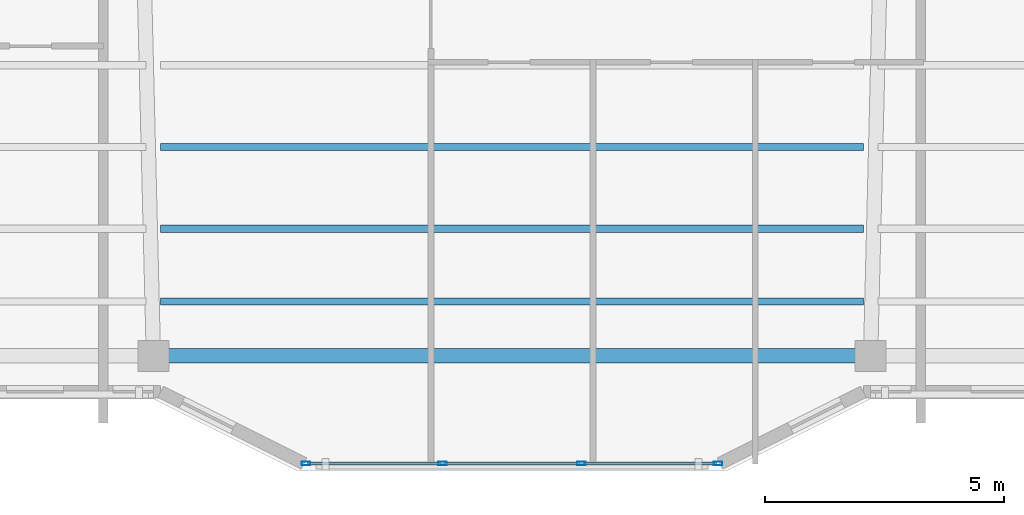
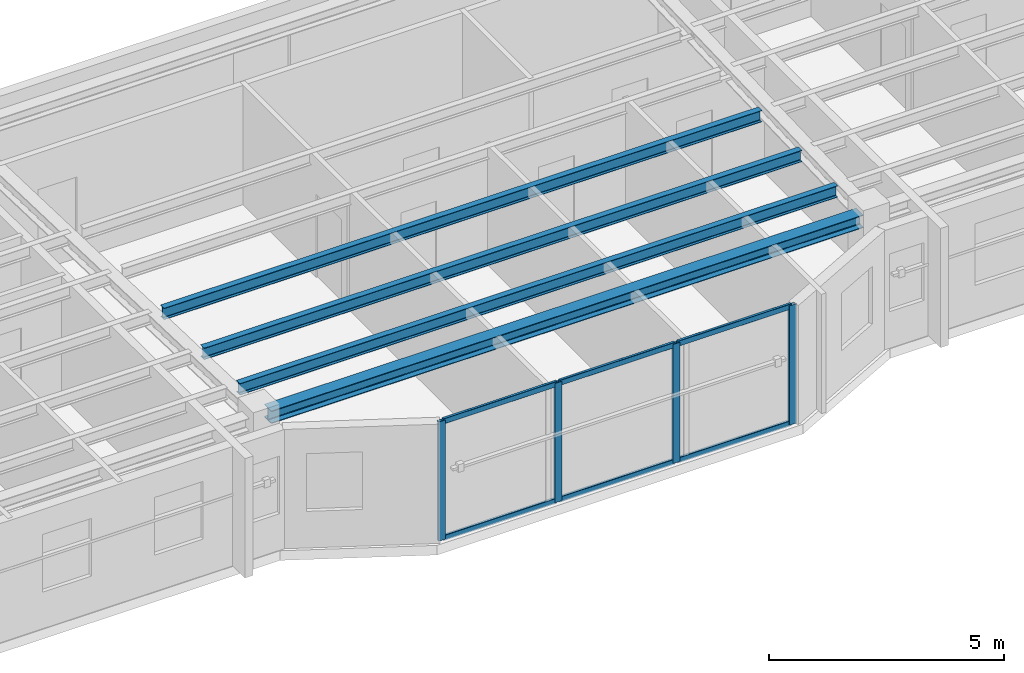
# One storey, part 2 of 15: 10 members, 4 beams, 1 element without a shape of its own.
"""IFC4 building model written with IfcOpenShell, lengths in metres."""

from ifc_helpers import new_model, si_unit, direction, frame, origin, origin_2d, place, context, subcontext, project, spatial, hollow_rectangle, i_section, extrude, material, layer, layer_set, material_profile, profile_set, type_object, element, aggregate, save


model = new_model("IFC4")

# Units and contexts
model_context = context("Model", 3, precision=1e-05, world=origin(), true_north=direction((0.0, 1.0)))
body_context = subcontext(model_context, "Body", "Model", "MODEL_VIEW")
ifc_project = project(units=[si_unit("LENGTHUNIT", "METRE"), si_unit("AREAUNIT", "SQUARE_METRE"), si_unit("VOLUMEUNIT", "CUBIC_METRE"), si_unit("PLANEANGLEUNIT", "RADIAN"), si_unit("MASSUNIT", "GRAM", prefix="KILO")], contexts=[model_context])

# Site, building, storey
site_placement = place(None, origin())
site = spatial("IfcSite", under=ifc_project, at=site_placement, CompositionType="ELEMENT")
building_placement = place(site_placement, origin())
building = spatial("IfcBuilding", under=site, at=building_placement, Name="Tarnavaz Court Tower", CompositionType="ELEMENT")
storey_placement = place(building_placement, frame((0.0, 0.0, 244.85009765625)))
storey = spatial("IfcBuildingStorey", under=building, at=storey_placement, Name="L66", CompositionType="ELEMENT", Elevation=244.85009765625)

# Beams
ifc_material_1 = material(Name="Steel S355", Category="steel")
ifc_material_profile_1 = material_profile(ifc_material_1, i_section(OverallWidth=0.14990234375, OverallDepth=0.300048828125, WebThickness=0.007080078125, FlangeThickness=0.0107421875, FilletRadius=0.014892578125, at=origin_2d()), Name="IPE 300")
ifc_profile_set_1 = profile_set([ifc_material_profile_1], Name="Steel S355")
beam_type_1 = type_object("IfcBeamType", Name="BM-J-IPE300", PredefinedType="JOIST", material=ifc_profile_set_1)
for number, where, z_axis, x_axis, name in (
    (1, (-7.35009765625, -15.72998046875, 2.949951171875), (1.0, 0.0, 0.0), (0.0, 1.0, 0.0), "L66 Beam JS3-2"),
    (2, (-7.35009765625, -17.43994140625, 2.949951171875), (1.0, 0.0, 0.0), (0.0, 1.0, 0.0), "L66 Beam JS4-2"),
    (3, (-7.35009765625, -18.9599609375, 2.949951171875), (1.0, 0.0, 0.0), (0.0, 1.0, 0.0), "L66 Beam JS5-2"),
):
    element("IfcBeam", number, at=place(storey_placement, frame(where, z_axis=z_axis, x_axis=x_axis)), inside=storey, type_object=beam_type_1, Name=name, PredefinedType="JOIST", context=body_context, shape_type="SweptSolid", body=[
        extrude(i_section(OverallWidth=0.14990234375, OverallDepth=0.300048828125, WebThickness=0.007080078125, FlangeThickness=0.0107421875, FilletRadius=0.014892578125, at=origin_2d()), origin(), (0.0, 0.0, 1.0), 14.7001953125),
    ])
ifc_material_profile_2 = material_profile(ifc_material_1, i_section(OverallWidth=0.300048828125, OverallDepth=0.330078125, WebThickness=0.009521484375, FlangeThickness=0.0166015625, FilletRadius=0.027099609375, at=origin_2d()), Name="HEA 340")
ifc_profile_set_2 = profile_set([ifc_material_profile_2], Name="Steel S355")
beam_type_2 = type_object("IfcBeamType", Name="BM-SP-HEA340", PredefinedType="BEAM", material=ifc_profile_set_2)
beam_placement = place(storey_placement, frame((-7.280029296875, -20.10009765625, 2.934814453125), z_axis=(1.0, 0.0, 0.0), x_axis=(0.0, 1.0, 0.0)))
element("IfcBeam", 4, at=beam_placement, inside=storey, type_object=beam_type_2, Name="L66 Beam PR-PS-2-PS-3", PredefinedType="BEAM", context=body_context, shape_type="SweptSolid", body=[
    extrude(i_section(OverallWidth=0.300048828125, OverallDepth=0.330078125, WebThickness=0.009521484375, FlangeThickness=0.0166015625, FilletRadius=0.027099609375, at=origin_2d()), origin(), (0.0, 0.0, 1.0), 14.56005859375),
])

# Curtain wall, members
ifc_material_2 = material(Name="Anodised Aluminium 6063-T6 and Solar Low-E Glazing", Category="aluminium")
ifc_layer = layer(ifc_material_2, 0.159912109375)
ifc_layer_set = layer_set([ifc_layer], Name="Anodised Aluminium 6063-T6 and Solar Low-E Glazing")
curtain_wall_type = type_object("IfcCurtainWallType", Name="CW-SYS-03", PredefinedType="NOTDEFINED", material=ifc_layer_set)
curtain_wall_placement = place(storey_placement, origin())
curtain_wall = element("IfcCurtainWall", 5, at=curtain_wall_placement, inside=storey, type_object=curtain_wall_type, Name="L66 Iwan Prow Curtain Wall 17", PredefinedType="NOTDEFINED")
ifc_material_3 = material(Name="Anodised Aluminium 6063-T6", Category="aluminium")
ifc_material_profile_3 = material_profile(ifc_material_3, hollow_rectangle(XDim=0.074951171875, YDim=0.179931640625, WallThickness=0.0048828125, InnerFilletRadius=0.0048828125, OuterFilletRadius=0.010009765625, at=origin_2d()), Name="ALU RHS 180X75X5")
ifc_profile_set_3 = profile_set([ifc_material_profile_3], Name="Anodised Aluminium 6063-T6")
member_type_1 = type_object("IfcMemberType", Name="CW-MUL-180", PredefinedType="MULLION", material=ifc_profile_set_3)
member_1_placement = place(storey_placement, frame((4.3125, -22.35009765625, 0.0), z_axis=(0.0, 0.0, 1.0), x_axis=(0.0, -1.0, 0.0)))
member_1 = element("IfcMember", 6, at=member_1_placement, type_object=member_type_1, Name="CW mullion 1", PredefinedType="MULLION", context=body_context, shape_type="SweptSolid", body=[
    extrude(hollow_rectangle(XDim=0.074951171875, YDim=0.179931640625, WallThickness=0.0048828125, InnerFilletRadius=0.0048828125, OuterFilletRadius=0.010009765625, at=origin_2d()), origin(), (0.0, 0.0, 1.0), 3.099853515625),
])
member_2_placement = place(storey_placement, frame((1.449951171875, -22.35009765625, 0.0), z_axis=(0.0, 0.0, 1.0), x_axis=(0.0, -1.0, 0.0)))
member_2 = element("IfcMember", 7, at=member_2_placement, type_object=member_type_1, Name="CW mullion 2", PredefinedType="MULLION", context=body_context, shape_type="SweptSolid", body=[
    extrude(hollow_rectangle(XDim=0.074951171875, YDim=0.179931640625, WallThickness=0.0048828125, InnerFilletRadius=0.0048828125, OuterFilletRadius=0.010009765625, at=origin_2d()), origin(), (0.0, 0.0, 1.0), 3.099853515625),
])
member_3_placement = place(storey_placement, frame((-1.449951171875, -22.35009765625, 0.0), z_axis=(0.0, 0.0, 1.0), x_axis=(0.0, -1.0, 0.0)))
member_3 = element("IfcMember", 8, at=member_3_placement, type_object=member_type_1, Name="CW mullion 3", PredefinedType="MULLION", context=body_context, shape_type="SweptSolid", body=[
    extrude(hollow_rectangle(XDim=0.074951171875, YDim=0.179931640625, WallThickness=0.0048828125, InnerFilletRadius=0.0048828125, OuterFilletRadius=0.010009765625, at=origin_2d()), origin(), (0.0, 0.0, 1.0), 3.099853515625),
])
member_4_placement = place(storey_placement, frame((-4.3125, -22.35009765625, 0.0), z_axis=(0.0, 0.0, 1.0), x_axis=(0.0, -1.0, 0.0)))
member_4 = element("IfcMember", 9, at=member_4_placement, type_object=member_type_1, Name="CW mullion 4", PredefinedType="MULLION", context=body_context, shape_type="SweptSolid", body=[
    extrude(hollow_rectangle(XDim=0.074951171875, YDim=0.179931640625, WallThickness=0.0048828125, InnerFilletRadius=0.0048828125, OuterFilletRadius=0.010009765625, at=origin_2d()), origin(), (0.0, 0.0, 1.0), 3.099853515625),
])
ifc_material_profile_4 = material_profile(ifc_material_3, hollow_rectangle(XDim=0.06494140625, YDim=0.139892578125, WallThickness=0.00390625, InnerFilletRadius=0.00390625, OuterFilletRadius=0.008056640625, at=origin_2d()), Name="ALU RHS 140X65X4")
ifc_profile_set_4 = profile_set([ifc_material_profile_4], Name="Anodised Aluminium 6063-T6")
member_type_2 = type_object("IfcMemberType", Name="CW-TRN-140", PredefinedType="USERDEFINED", material=ifc_profile_set_4)
member_5_placement = place(storey_placement, frame((4.27490234375, -22.35009765625, 0.032470703125), z_axis=(-1.0, 0.0, 0.0), x_axis=(0.0, -1.0, 0.0)))
member_5 = element("IfcMember", 10, at=member_5_placement, type_object=member_type_2, Name="CW transom 1.1", ObjectType="TRANSOM", PredefinedType="USERDEFINED", context=body_context, shape_type="SweptSolid", body=[
    extrude(hollow_rectangle(XDim=0.06494140625, YDim=0.139892578125, WallThickness=0.00390625, InnerFilletRadius=0.00390625, OuterFilletRadius=0.008056640625, at=origin_2d()), origin(), (0.0, 0.0, 1.0), 2.787353515625),
])
member_6_placement = place(storey_placement, frame((4.27490234375, -22.35009765625, 3.0673828125), z_axis=(-1.0, 0.0, 0.0), x_axis=(0.0, -1.0, 0.0)))
member_6 = element("IfcMember", 11, at=member_6_placement, type_object=member_type_2, Name="CW transom 1.2", ObjectType="TRANSOM", PredefinedType="USERDEFINED", context=body_context, shape_type="SweptSolid", body=[
    extrude(hollow_rectangle(XDim=0.06494140625, YDim=0.139892578125, WallThickness=0.00390625, InnerFilletRadius=0.00390625, OuterFilletRadius=0.008056640625, at=origin_2d()), origin(), (0.0, 0.0, 1.0), 2.787353515625),
])
member_7_placement = place(storey_placement, frame((1.41259765625, -22.35009765625, 0.032470703125), z_axis=(-1.0, 0.0, 0.0), x_axis=(0.0, -1.0, 0.0)))
member_7 = element("IfcMember", 12, at=member_7_placement, type_object=member_type_2, Name="CW transom 2.1", ObjectType="TRANSOM", PredefinedType="USERDEFINED", context=body_context, shape_type="SweptSolid", body=[
    extrude(hollow_rectangle(XDim=0.06494140625, YDim=0.139892578125, WallThickness=0.00390625, InnerFilletRadius=0.00390625, OuterFilletRadius=0.008056640625, at=origin_2d()), origin(), (0.0, 0.0, 1.0), 2.8251953125),
])
member_8_placement = place(storey_placement, frame((1.41259765625, -22.35009765625, 3.0673828125), z_axis=(-1.0, 0.0, 0.0), x_axis=(0.0, -1.0, 0.0)))
member_8 = element("IfcMember", 13, at=member_8_placement, type_object=member_type_2, Name="CW transom 2.2", ObjectType="TRANSOM", PredefinedType="USERDEFINED", context=body_context, shape_type="SweptSolid", body=[
    extrude(hollow_rectangle(XDim=0.06494140625, YDim=0.139892578125, WallThickness=0.00390625, InnerFilletRadius=0.00390625, OuterFilletRadius=0.008056640625, at=origin_2d()), origin(), (0.0, 0.0, 1.0), 2.8251953125),
])
member_9_placement = place(storey_placement, frame((-1.487548828125, -22.35009765625, 0.032470703125), z_axis=(-1.0, 0.0, 0.0), x_axis=(0.0, -1.0, 0.0)))
member_9 = element("IfcMember", 14, at=member_9_placement, type_object=member_type_2, Name="CW transom 3.1", ObjectType="TRANSOM", PredefinedType="USERDEFINED", context=body_context, shape_type="SweptSolid", body=[
    extrude(hollow_rectangle(XDim=0.06494140625, YDim=0.139892578125, WallThickness=0.00390625, InnerFilletRadius=0.00390625, OuterFilletRadius=0.008056640625, at=origin_2d()), origin(), (0.0, 0.0, 1.0), 2.787353515625),
])
member_10_placement = place(storey_placement, frame((-1.487548828125, -22.35009765625, 3.0673828125), z_axis=(-1.0, 0.0, 0.0), x_axis=(0.0, -1.0, 0.0)))
member_10 = element("IfcMember", 15, at=member_10_placement, type_object=member_type_2, Name="CW transom 3.2", ObjectType="TRANSOM", PredefinedType="USERDEFINED", context=body_context, shape_type="SweptSolid", body=[
    extrude(hollow_rectangle(XDim=0.06494140625, YDim=0.139892578125, WallThickness=0.00390625, InnerFilletRadius=0.00390625, OuterFilletRadius=0.008056640625, at=origin_2d()), origin(), (0.0, 0.0, 1.0), 2.787353515625),
])
aggregate(curtain_wall, [member_1, member_2, member_3, member_4, member_5, member_6, member_7, member_8, member_9, member_10])

save(model, "model.ifc")
